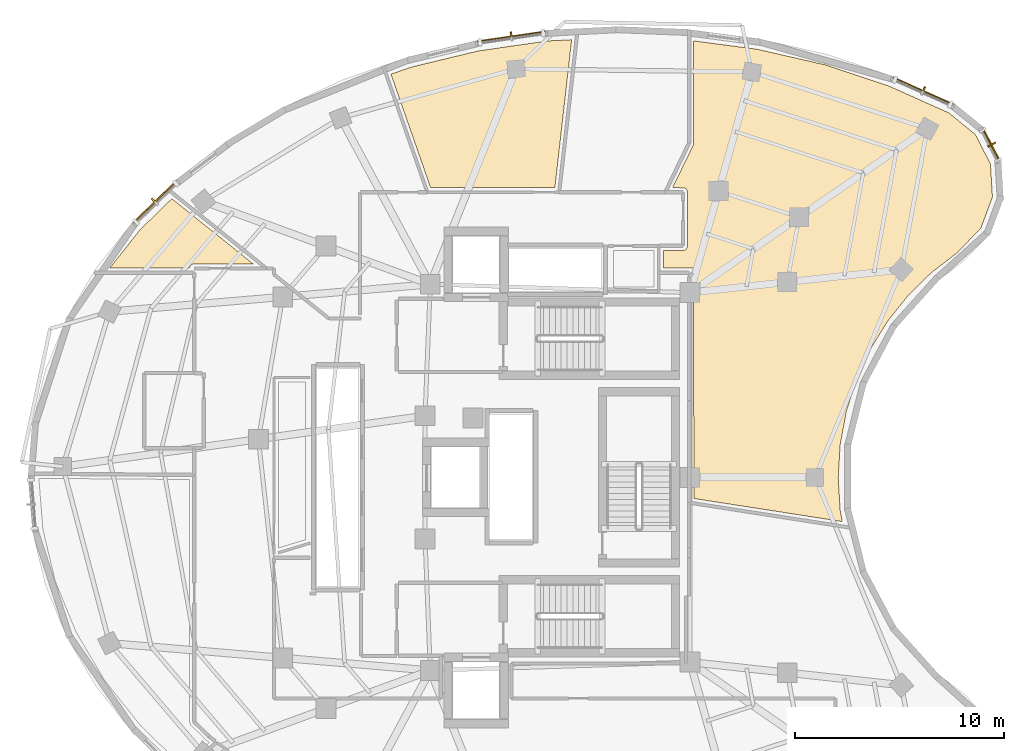
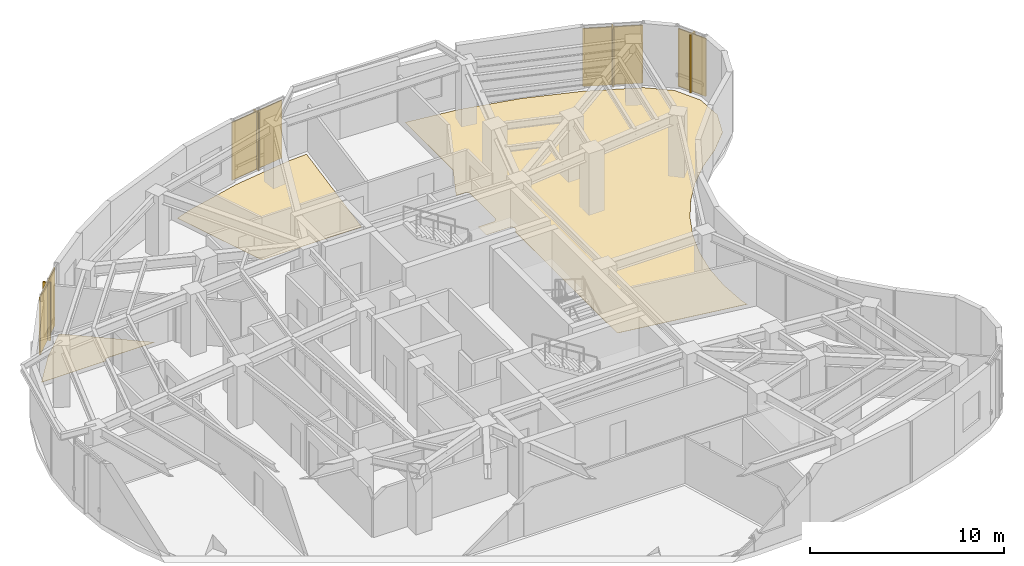
# One storey, part 13 of 13: 8 shading devices, 3 coverings.
"""IFC4 building model written with IfcOpenShell, lengths in metres."""

from ifc_helpers import new_model, si_unit, direction, frame, origin, origin_2d, place, context, subcontext, project, spatial, polyline, rectangle, outline, extrude, material, layer, layer_set, type_object, element, save


model = new_model("IFC4")

# Units and contexts
model_context = context("Model", 3, precision=1e-05, world=origin(), true_north=direction((0.0, 1.0)))
body_context = subcontext(model_context, "Body", "Model", "MODEL_VIEW")
ifc_project = project(units=[si_unit("LENGTHUNIT", "METRE"), si_unit("AREAUNIT", "SQUARE_METRE"), si_unit("VOLUMEUNIT", "CUBIC_METRE"), si_unit("PLANEANGLEUNIT", "RADIAN"), si_unit("MASSUNIT", "GRAM", prefix="KILO")], contexts=[model_context])

# Site, building, storey
site_placement = place(None, origin())
site = spatial("IfcSite", under=ifc_project, at=site_placement, CompositionType="ELEMENT")
building_placement = place(site_placement, origin())
building = spatial("IfcBuilding", under=site, at=building_placement, Name="Korentha Bioscience Tower", CompositionType="ELEMENT")
storey_placement = place(building_placement, frame((0.0, 0.0, 243.60009765625)))
storey = spatial("IfcBuildingStorey", under=building, at=storey_placement, Name="L56", CompositionType="ELEMENT", Elevation=243.60009765625)

# Shading devices
ifc_material_1 = material(Name="Perforated Stone-Ceramic Composite", Category="masonry")
ifc_layer_1 = layer(ifc_material_1, 0.06494140625, Name="Perforated Stone-Ceramic Composite")
ifc_layer_set_1 = layer_set([ifc_layer_1], Name="Perforated Stone-Ceramic Composite (CS-01)")
shading_device_type_1 = type_object("IfcShadingDeviceType", Name="Perforated Stone-Ceramic Solar Screen Panel 65", PredefinedType="USERDEFINED", material=ifc_layer_set_1)
shading_device_1_placement = place(storey_placement, frame((48.712158203125, 45.507080078125, 0.0), z_axis=(0.0, 0.0, 1.0), x_axis=(-0.912621774183, 0.408804962405, 0.0)))
element("IfcShadingDevice", 1, at=shading_device_1_placement, inside=storey, type_object=shading_device_type_1, Name="CW-L56-01 Perforated Stone-Ceramic Solar Screen", ObjectType="SCREEN", PredefinedType="USERDEFINED", context=body_context, shape_type="SweptSolid", body=[
    extrude(rectangle(XDim=3.126953125, YDim=0.06494140625, at=origin_2d()), origin(), (0.0, 0.0, 1.0), 3.64990234375),
])
shading_device_2_placement = place(storey_placement, frame((28.989990234375, 48.115478515625, 0.0), z_axis=(0.0, 0.0, 1.0), x_axis=(-0.989728990307, -0.142956377076, 0.0)))
element("IfcShadingDevice", 2, at=shading_device_2_placement, inside=storey, type_object=shading_device_type_1, Name="CW-L56-07 Perforated Stone-Ceramic Solar Screen", ObjectType="SCREEN", PredefinedType="USERDEFINED", context=body_context, shape_type="SweptSolid", body=[
    extrude(rectangle(XDim=3.29443359375, YDim=0.06494140625, at=origin_2d()), origin(), (0.0, 0.0, 1.0), 3.64990234375),
])
shading_device_3_placement = place(storey_placement, frame((11.9150390625, 40.194580078125, 0.0), z_axis=(0.0, 0.0, 1.0), x_axis=(-0.715993919158, -0.698106516034, 0.0)))
element("IfcShadingDevice", 3, at=shading_device_3_placement, inside=storey, type_object=shading_device_type_1, Name="CW-L56-13 Perforated Stone-Ceramic Solar Screen", ObjectType="SCREEN", PredefinedType="USERDEFINED", context=body_context, shape_type="SweptSolid", body=[
    extrude(rectangle(XDim=2.833251953125, YDim=0.06494140625, at=origin_2d()), origin(), (0.0, 0.0, 1.0), 3.64990234375),
])
shading_device_4_placement = place(storey_placement, frame((51.973876953125, 42.934326171875, 0.0), z_axis=(0.0, 0.0, 1.0), x_axis=(-0.457569503198, 0.889173857996, 0.0)))
element("IfcShadingDevice", 4, at=shading_device_4_placement, inside=storey, type_object=shading_device_type_1, Name="CW-L56-61 Perforated Stone-Ceramic Solar Screen", ObjectType="SCREEN", PredefinedType="USERDEFINED", context=body_context, shape_type="SweptSolid", body=[
    extrude(rectangle(XDim=1.70703125, YDim=0.06494140625, at=origin_2d()), origin(), (0.0, 0.0, 1.0), 3.64990234375),
])

# Coverings
ifc_material_2 = material(Name="Chemical-Resistant Epoxy Resin", Category="polymer")
ifc_layer_2 = layer(ifc_material_2, 0.011962890625, Name="Chemical-Resistant Epoxy Resin")
ifc_layer_set_2 = layer_set([ifc_layer_2], Name="Chemical-Resistant Epoxy Resin (FL-EPX)")
covering_type = type_object("IfcCoveringType", Name="Seamless Epoxy Laboratory Flooring 12", PredefinedType="FLOORING", material=ifc_layer_set_2)
covering_1_placement = place(storey_placement, origin())
element("IfcCovering", 5, at=covering_1_placement, inside=storey, type_object=covering_type, Name="L56 Reference Archive Vault 07 Floor Finish", PredefinedType="FLOORING", context=body_context, shape_type="SweptSolid", body=[
    extrude(outline(polyline([(37.689453125, 37.01953125), (36.280029296875, 37.022216796875), (36.280029296875, 37.8701171875), (37.234130859375, 37.87255859375), (37.298828125, 37.892333984375), (37.3701171875, 37.9453125), (37.427490234375, 38.066650390625), (37.423095703125, 40.706298828125), (37.354736328125, 40.820068359375), (37.25537109375, 40.873291015625), (36.707275390625, 40.8798828125), (37.7041015625, 42.929931640625), (37.722900390625, 43.00390625), (37.72216796875, 47.912109375), (40.76708984375, 47.509521484375), (43.994140625, 46.771240234375), (47.078857421875, 45.745361328125), (49.93994140625, 44.464111328125), (51.209228515625, 43.4365234375), (51.93798828125, 42.020751953125), (52.03369140625, 40.43115234375), (51.48046875, 38.93798828125), (50.323486328125, 37.744384765625), (49.105224609375, 36.806396484375), (47.96728515625, 35.683837890625), (47.007080078125, 34.47607421875), (46.18212890625, 33.134765625), (45.51708984375, 31.684814453125), (45.034912109375, 30.164306640625), (44.73876953125, 28.564453125), (44.644287109375, 26.9755859375), (44.73828125, 25.438720703125), (44.838134765625, 24.88330078125), (37.7236328125, 25.98828125), (37.721923828125, 36.5224609375), (37.849609375, 36.68408203125), (37.880615234375, 36.809814453125), (37.848388671875, 36.913818359375), (37.771484375, 36.990478515625), (37.689453125, 37.01953125)])), origin(), (0.0, 0.0, 1.0), 0.011962890625),
])
covering_2_placement = place(storey_placement, origin())
element("IfcCovering", 6, at=covering_2_placement, inside=storey, type_object=covering_type, Name="L56 Vaccine Formulation Cleanroom 09 Floor Finish", PredefinedType="FLOORING", context=body_context, shape_type="SweptSolid", body=[
    extrude(outline(polyline([(30.7109375, 47.9091796875), (31.874267578125, 47.96923828125), (31.0703125, 40.881103515625), (25.114990234375, 40.8798828125), (23.216552734375, 46.318603515625), (24.186767578125, 46.65478515625), (27.398193359375, 47.430908203125), (30.7109375, 47.9091796875)])), origin(), (0.0, 0.0, 1.0), 0.011962890625),
])
covering_3_placement = place(storey_placement, origin())
element("IfcCovering", 7, at=covering_3_placement, inside=storey, type_object=covering_type, Name="L56 Cold-Chain Stability Chamber 11 Floor Finish", PredefinedType="FLOORING", context=body_context, shape_type="SweptSolid", body=[
    extrude(outline(polyline([(11.202392578125, 38.871337890625), (12.720703125, 40.351806640625), (16.611083984375, 37.22998046875), (13.7880859375, 37.229736328125), (13.7021484375, 37.2080078125), (13.645263671875, 37.170166015625), (13.59228515625, 37.098876953125), (13.5712890625, 37.02197265625), (9.73779296875, 37.02197265625), (11.202392578125, 38.871337890625)])), origin(), (0.0, 0.0, 1.0), 0.011962890625),
])

# Shading devices
ifc_material_3 = material(Name="Honed Travertine Limestone", Category="masonry")
ifc_layer_3 = layer(ifc_material_3, 0.080078125, Name="Honed Travertine Limestone")
ifc_layer_set_3 = layer_set([ifc_layer_3], Name="Honed Travertine Limestone (CS-02)")
shading_device_type_2 = type_object("IfcShadingDeviceType", Name="Vertical Honed Limestone Sunshade Fin 80x420", PredefinedType="USERDEFINED", material=ifc_layer_set_3)
for number, where, z_axis, x_axis, name in (
    (8, (48.720458984375, 45.525390625, 0.0), (0.0, 0.0, 1.0), (-0.912621774183, 0.408804962405, 0.0), "CW-L56-01 Limestone Sunshade Fin"),
    (9, (28.987060546875, 48.135009765625, 0.0), (0.0, 0.0, 1.0), (-0.989728990307, -0.142956377076, 0.0), "CW-L56-07 Limestone Sunshade Fin"),
    (10, (11.90087890625, 40.208984375, 0.0), (0.0, 0.0, 1.0), (-0.715993919158, -0.698106516034, 0.0), "CW-L56-13 Limestone Sunshade Fin"),
    (11, (51.99169921875, 42.943603515625, 0.0), (0.0, 0.0, 1.0), (-0.457569503198, 0.889173857996, 0.0), "CW-L56-61 Limestone Sunshade Fin"),
):
    element("IfcShadingDevice", number, at=place(storey_placement, frame(where, z_axis=z_axis, x_axis=x_axis)), inside=storey, type_object=shading_device_type_2, Name=name, ObjectType="SCREEN", PredefinedType="USERDEFINED", context=body_context, shape_type="SweptSolid", body=[
        extrude(rectangle(XDim=0.080078125, YDim=0.419921875, at=origin_2d()), origin(), (0.0, 0.0, 1.0), 3.64990234375),
    ])

save(model, "model.ifc")
